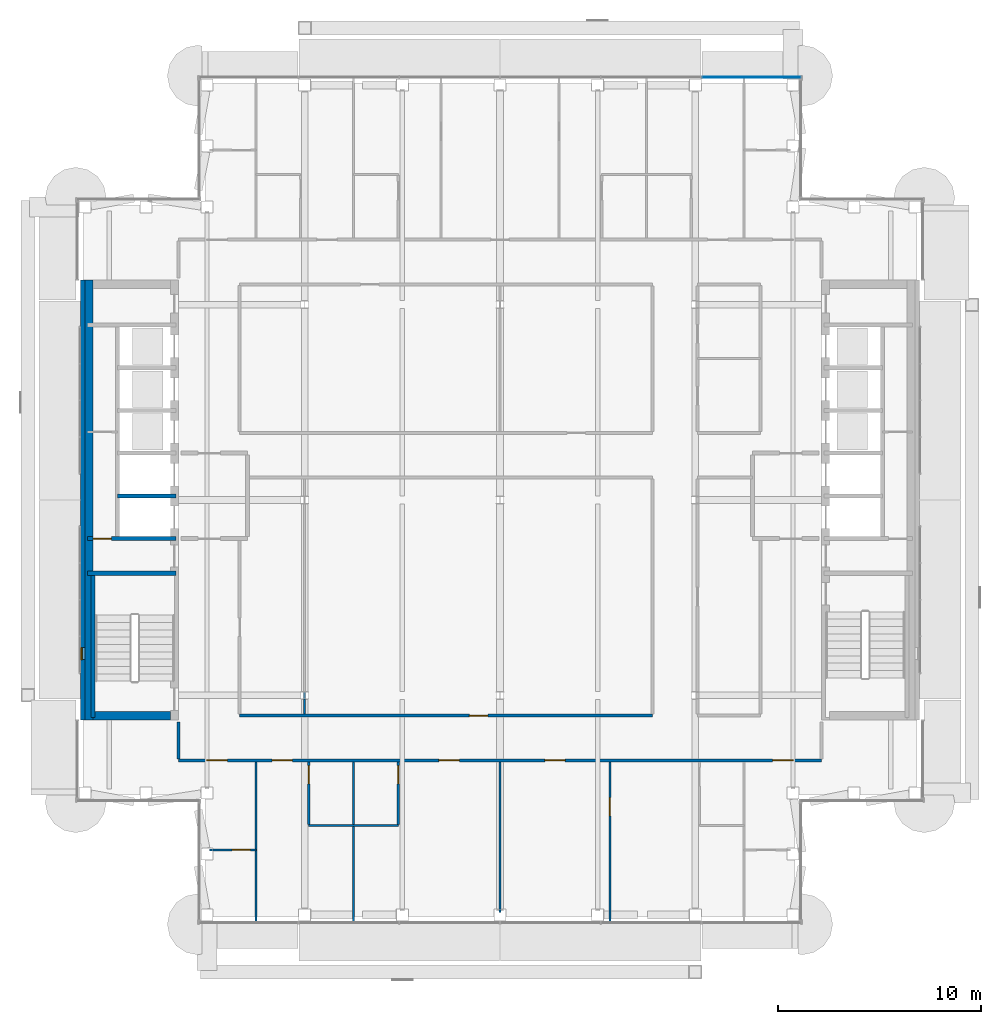
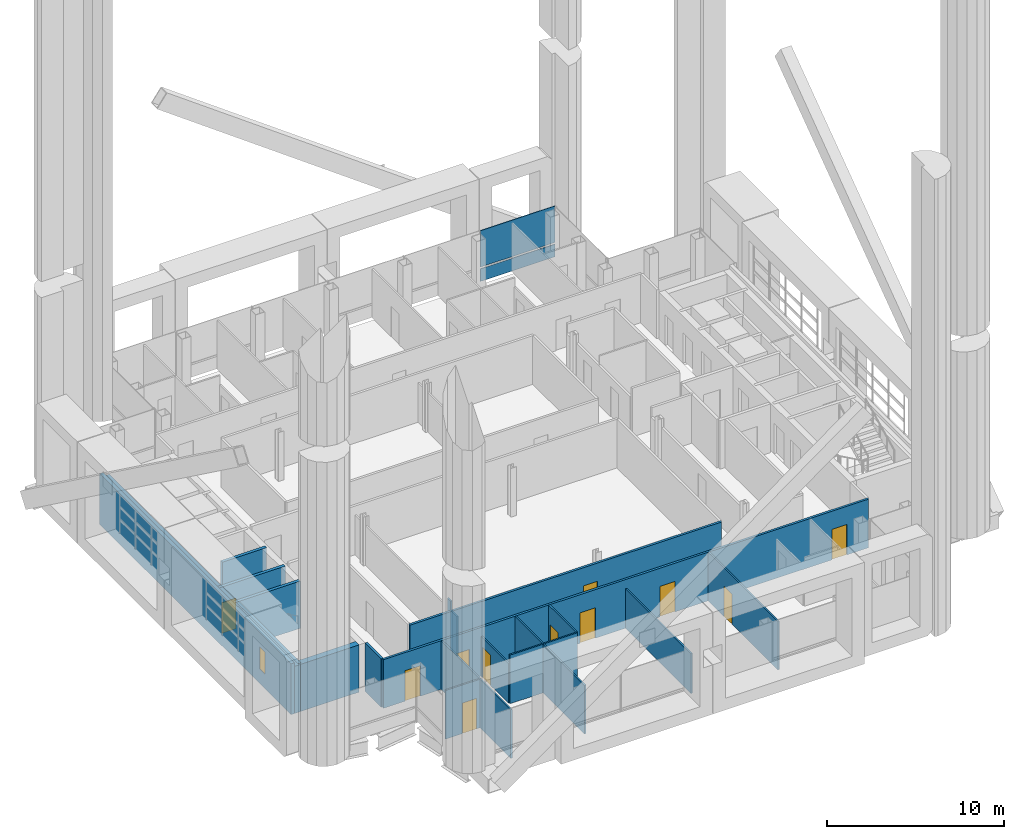
# One storey, part 13 of 29: 21 walls, 11 doors, 2 plates, 1 window, 12 openings, 1 element without a shape of its own.
"""IFC4 building model written with IfcOpenShell, lengths in metres."""

from ifc_helpers import new_model, si_unit, direction, frame, frame_2d, origin, origin_2d, place, context, subcontext, project, spatial, rectangle, extrude, material, layer, layer_set, type_object, element, fill, aggregate, save


model = new_model("IFC4")

# Units and contexts
model_context = context("Model", 3, precision=1e-05, world=origin(), true_north=direction((0.0, 1.0)))
body_context = subcontext(model_context, "Body", "Model", "MODEL_VIEW")
ifc_project = project(units=[si_unit("LENGTHUNIT", "METRE"), si_unit("AREAUNIT", "SQUARE_METRE"), si_unit("VOLUMEUNIT", "CUBIC_METRE"), si_unit("PLANEANGLEUNIT", "RADIAN"), si_unit("MASSUNIT", "GRAM", prefix="KILO")], contexts=[model_context])

# Site, building, storey
site_placement = place(None, origin())
site = spatial("IfcSite", under=ifc_project, at=site_placement, CompositionType="ELEMENT")
building_placement = place(site_placement, origin())
building = spatial("IfcBuilding", under=site, at=building_placement, Name="Cobrizo Arcos Hotel Tower", CompositionType="ELEMENT")
storey_placement = place(building_placement, frame((0.0, 0.0, 241.0)))
storey = spatial("IfcBuildingStorey", under=building, at=storey_placement, Name="L63", CompositionType="ELEMENT", Elevation=241.0)

# Curtain wall, plates
ifc_material_1 = material(Name="Aluminium 6063-T6 anodised bronze", Category="aluminium")
curtain_wall_type = type_object("IfcCurtainWallType", Name="CW-A guest facade", PredefinedType="NOTDEFINED", material=ifc_material_1)
curtain_wall_placement = place(storey_placement, origin())
curtain_wall = element("IfcCurtainWall", 1, at=curtain_wall_placement, inside=storey, type_object=curtain_wall_type, Name="CW-A L63 N face", PredefinedType="NOTDEFINED")
ifc_material_2 = material(Name="Glass clear laminated low-e", Category="glass")
ifc_layer_1 = layer(ifc_material_2, 0.0400390625)
ifc_layer_set_1 = layer_set([ifc_layer_1], Name="CW-A glass panel")
plate_type_1 = type_object("IfcPlateType", Name="CW-A glass panel", PredefinedType="CURTAIN_PANEL", material=ifc_layer_set_1)
plate_1_placement = place(storey_placement, frame((12.360107421875, 20.77490234375, 0.990234375), z_axis=(0.0, 0.0, 1.0), x_axis=(-1.0, 0.0, 0.0)))
plate_1 = element("IfcPlate", 2, at=plate_1_placement, type_object=plate_type_1, Name="CW-A glass panel 2024", PredefinedType="CURTAIN_PANEL", context=body_context, shape_type="SweptSolid", body=[
    extrude(rectangle(XDim=4.860107421875, YDim=0.0400390625, at=origin_2d()), origin(), (0.0, 0.0, 1.0), 2.510009765625),
])
ifc_material_3 = material(Name="Aluminium composite panel pale metal", Category="aluminium")
ifc_layer_2 = layer(ifc_material_3, 0.0400390625)
ifc_layer_set_2 = layer_set([ifc_layer_2], Name="CW-A spandrel panel")
plate_type_2 = type_object("IfcPlateType", Name="CW-A spandrel panel", PredefinedType="CURTAIN_PANEL", material=ifc_layer_set_2)
plate_2_placement = place(storey_placement, frame((12.360107421875, 20.77490234375, 0.0), z_axis=(0.0, 0.0, 1.0), x_axis=(-1.0, 0.0, 0.0)))
plate_2 = element("IfcPlate", 3, at=plate_2_placement, type_object=plate_type_2, Name="CW-A spandrel panel 2024", PredefinedType="CURTAIN_PANEL", context=body_context, shape_type="SweptSolid", body=[
    extrude(rectangle(XDim=4.860107421875, YDim=0.0400390625, at=origin_2d()), origin(), (0.0, 0.0, 1.0), 0.8701171875),
])
aggregate(curtain_wall, [plate_2, plate_1])

# Wall, openings, doors
ifc_material_4 = material(Name="Gypsum board partition")
ifc_layer_3 = layer(ifc_material_4, 0.14990234375)
ifc_layer_set_3 = layer_set([ifc_layer_3], Name="Corridor wall EI 60 150")
wall_type_1 = type_object("IfcWallType", Name="Corridor wall EI 60 150", PredefinedType="PARTITIONING", material=ifc_layer_set_3)
wall_1_placement = place(storey_placement, frame((-15.800048828125, -12.800048828125, 0.0), z_axis=(0.0, 0.0, 1.0), x_axis=(1.0, 0.0, 0.0)))
wall_1 = element("IfcWall", 4, at=wall_1_placement, inside=storey, type_object=wall_type_1, Name="Partition 005", PredefinedType="PARTITIONING", context=body_context, shape_type="SweptSolid", body=[
    extrude(rectangle(XDim=31.60009765625, YDim=0.14990234375, at=frame_2d((15.800048828125, 0.0))), origin(), (0.0, 0.0, 1.0), 3.35009765625),
])
opening_1_placement = place(wall_1_placement, frame((4.60009765625, 0.0, 0.0)))
opening_1 = element("IfcOpeningElement", 5, at=opening_1_placement, cuts=wall_1, Name="Opening GD-03", PredefinedType="OPENING", context=body_context, shape_type="SweptSolid", body=[
    extrude(rectangle(XDim=1.0, YDim=2.10009765625, at=frame_2d((0.5, 1.050048828125))), frame((0.0, 0.0869140625, 0.0), z_axis=(0.0, -1.0, 0.0), x_axis=(1.0, 0.0, 0.0)), (0.0, 0.0, 1.0), 0.173828125),
])
opening_2_placement = place(wall_1_placement, frame((12.800048828125, 0.0, 0.0)))
opening_2 = element("IfcOpeningElement", 6, at=opening_2_placement, cuts=wall_1, Name="Opening GD-04", PredefinedType="OPENING", context=body_context, shape_type="SweptSolid", body=[
    extrude(rectangle(XDim=1.0, YDim=2.10009765625, at=frame_2d((0.5, 1.050048828125))), frame((0.0, 0.0869140625, 0.0), z_axis=(0.0, -1.0, 0.0), x_axis=(1.0, 0.0, 0.0)), (0.0, 0.0, 1.0), 0.173828125),
])
opening_3_placement = place(wall_1_placement, frame((18.0, 0.0, 0.0)))
opening_3 = element("IfcOpeningElement", 7, at=opening_3_placement, cuts=wall_1, Name="Opening GD-05", PredefinedType="OPENING", context=body_context, shape_type="SweptSolid", body=[
    extrude(rectangle(XDim=1.0, YDim=2.10009765625, at=frame_2d((0.5, 1.050048828125))), frame((0.0, 0.0869140625, 0.0), z_axis=(0.0, -1.0, 0.0), x_axis=(1.0, 0.0, 0.0)), (0.0, 0.0, 1.0), 0.173828125),
])
opening_4_placement = place(wall_1_placement, frame((1.39990234375, 0.0, 0.0)))
opening_4 = element("IfcOpeningElement", 8, at=opening_4_placement, cuts=wall_1, Name="Opening GD-06", PredefinedType="OPENING", context=body_context, shape_type="SweptSolid", body=[
    extrude(rectangle(XDim=1.0, YDim=2.10009765625, at=frame_2d((0.5, 1.050048828125))), frame((0.0, 0.0869140625, 0.0), z_axis=(0.0, -1.0, 0.0), x_axis=(1.0, 0.0, 0.0)), (0.0, 0.0, 1.0), 0.173828125),
])
opening_5_placement = place(wall_1_placement, frame((29.199951171875, 0.0, 0.0)))
opening_5 = element("IfcOpeningElement", 9, at=opening_5_placement, cuts=wall_1, Name="Opening GD-08", PredefinedType="OPENING", context=body_context, shape_type="SweptSolid", body=[
    extrude(rectangle(XDim=1.0, YDim=2.10009765625, at=frame_2d((0.5, 1.050048828125))), frame((0.0, 0.0869140625, 0.0), z_axis=(0.0, -1.0, 0.0), x_axis=(1.0, 0.0, 0.0)), (0.0, 0.0, 1.0), 0.173828125),
])
ifc_material_5 = material(Name="Timber door leaf", Category="wood")
door_type_1 = type_object("IfcDoorType", Name="Guest room door FD30S 1000x2100", OperationType="SINGLE_SWING_LEFT", PredefinedType="DOOR", material=ifc_material_5)
door_1_placement = place(opening_1_placement, origin())
door_1 = element("IfcDoor", 10, at=door_1_placement, inside=storey, type_object=door_type_1, Name="Door GD-03", OperationType="SINGLE_SWING_LEFT", OverallHeight=2.10009765625, OverallWidth=1.0, PredefinedType="DOOR", context=body_context, shape_type="SweptSolid", body=[
    extrude(rectangle(XDim=1.0, YDim=2.10009765625, at=frame_2d((0.5, 1.050048828125))), frame((0.0, 0.02490234375, 0.0), z_axis=(0.0, -1.0, 0.0), x_axis=(1.0, 0.0, 0.0)), (0.0, 0.0, 1.0), 0.050048828125),
])
fill(opening_1, door_1)
door_2_placement = place(opening_2_placement, origin())
door_2 = element("IfcDoor", 11, at=door_2_placement, inside=storey, type_object=door_type_1, Name="Door GD-04", OperationType="SINGLE_SWING_LEFT", OverallHeight=2.10009765625, OverallWidth=1.0, PredefinedType="DOOR", context=body_context, shape_type="SweptSolid", body=[
    extrude(rectangle(XDim=1.0, YDim=2.10009765625, at=frame_2d((0.5, 1.050048828125))), frame((0.0, 0.02490234375, 0.0), z_axis=(0.0, -1.0, 0.0), x_axis=(1.0, 0.0, 0.0)), (0.0, 0.0, 1.0), 0.050048828125),
])
fill(opening_2, door_2)
door_3_placement = place(opening_3_placement, origin())
door_3 = element("IfcDoor", 12, at=door_3_placement, inside=storey, type_object=door_type_1, Name="Door GD-05", OperationType="SINGLE_SWING_RIGHT", OverallHeight=2.10009765625, OverallWidth=1.0, PredefinedType="DOOR", context=body_context, shape_type="SweptSolid", body=[
    extrude(rectangle(XDim=1.0, YDim=2.10009765625, at=frame_2d((0.5, 1.050048828125))), frame((0.0, 0.02490234375, 0.0), z_axis=(0.0, -1.0, 0.0), x_axis=(1.0, 0.0, 0.0)), (0.0, 0.0, 1.0), 0.050048828125),
])
fill(opening_3, door_3)
door_4_placement = place(opening_4_placement, origin())
door_4 = element("IfcDoor", 13, at=door_4_placement, inside=storey, type_object=door_type_1, Name="Door GD-06", OperationType="SINGLE_SWING_LEFT", OverallHeight=2.10009765625, OverallWidth=1.0, PredefinedType="DOOR", context=body_context, shape_type="SweptSolid", body=[
    extrude(rectangle(XDim=1.0, YDim=2.10009765625, at=frame_2d((0.5, 1.050048828125))), frame((0.0, 0.02490234375, 0.0), z_axis=(0.0, -1.0, 0.0), x_axis=(1.0, 0.0, 0.0)), (0.0, 0.0, 1.0), 0.050048828125),
])
fill(opening_4, door_4)
door_5_placement = place(opening_5_placement, origin())
door_5 = element("IfcDoor", 14, at=door_5_placement, inside=storey, type_object=door_type_1, Name="Door GD-08", OperationType="SINGLE_SWING_LEFT", OverallHeight=2.10009765625, OverallWidth=1.0, PredefinedType="DOOR", context=body_context, shape_type="SweptSolid", body=[
    extrude(rectangle(XDim=1.0, YDim=2.10009765625, at=frame_2d((0.5, 1.050048828125))), frame((0.0, 0.02490234375, 0.0), z_axis=(0.0, -1.0, 0.0), x_axis=(1.0, 0.0, 0.0)), (0.0, 0.0, 1.0), 0.050048828125),
])
fill(opening_5, door_5)

# Wall, opening, door
wall_2_placement = place(storey_placement, frame((-12.800048828125, -10.60009765625, 0.0), z_axis=(0.0, 0.0, 1.0), x_axis=(1.0, 0.0, 0.0)))
wall_2 = element("IfcWall", 15, at=wall_2_placement, inside=storey, type_object=wall_type_1, Name="Partition 006", PredefinedType="PARTITIONING", context=body_context, shape_type="SweptSolid", body=[
    extrude(rectangle(XDim=20.300048828125, YDim=0.14990234375, at=frame_2d((10.14990234375, 0.0))), origin(), (0.0, 0.0, 1.0), 3.35009765625),
])
opening_6_placement = place(wall_2_placement, frame((11.300048828125, 0.0, 0.0)))
opening_6 = element("IfcOpeningElement", 16, at=opening_6_placement, cuts=wall_2, Name="Opening RD-15", PredefinedType="OPENING", context=body_context, shape_type="SweptSolid", body=[
    extrude(rectangle(XDim=0.89990234375, YDim=2.10009765625, at=frame_2d((0.449951171875, 1.050048828125))), frame((0.0, 0.0869140625, 0.0), z_axis=(0.0, -1.0, 0.0), x_axis=(1.0, 0.0, 0.0)), (0.0, 0.0, 1.0), 0.173828125),
])
door_type_2 = type_object("IfcDoorType", Name="Room door FD30 900x2100", OperationType="SINGLE_SWING_LEFT", PredefinedType="DOOR", material=ifc_material_5)
door_6_placement = place(opening_6_placement, origin())
door_6 = element("IfcDoor", 17, at=door_6_placement, inside=storey, type_object=door_type_2, Name="Door RD-15", OperationType="SINGLE_SWING_RIGHT", OverallHeight=2.10009765625, OverallWidth=0.89990234375, PredefinedType="DOOR", context=body_context, shape_type="SweptSolid", body=[
    extrude(rectangle(XDim=0.89990234375, YDim=2.10009765625, at=frame_2d((0.449951171875, 1.050048828125))), frame((0.0, 0.02490234375, 0.0), z_axis=(0.0, -1.0, 0.0), x_axis=(1.0, 0.0, 0.0)), (0.0, 0.0, 1.0), 0.050048828125),
])
fill(opening_6, door_6)

# Wall
wall_3_placement = place(storey_placement, frame((-15.800048828125, -12.72509765625, 0.0), z_axis=(0.0, 0.0, 1.0), x_axis=(0.0, 1.0, 0.0)))
element("IfcWall", 18, at=wall_3_placement, inside=storey, type_object=wall_type_1, Name="Partition 043", PredefinedType="PARTITIONING", context=body_context, shape_type="SweptSolid", body=[
    extrude(rectangle(XDim=1.80517578125, YDim=0.14990234375, at=frame_2d((0.902587890625, 0.0))), origin(), (0.0, 0.0, 1.0), 3.35009765625),
])

# Wall, opening, window
ifc_layer_4 = layer(ifc_material_3, 0.22509765625)
ifc_layer_set_4 = layer_set([ifc_layer_4], Name="EW-1 insulated panel wall 225")
wall_type_2 = type_object("IfcWallType", Name="EW-1 insulated panel wall 225", PredefinedType="SOLIDWALL", material=ifc_layer_set_4)
wall_4_placement = place(storey_placement, frame((-20.512451171875, 10.800048828125, 0.0), z_axis=(0.0, 0.0, 1.0), x_axis=(0.0, -1.0, 0.0)))
wall_4 = element("IfcWall", 19, at=wall_4_placement, inside=storey, type_object=wall_type_2, Name="Core face wall L63 W", PredefinedType="SOLIDWALL", context=body_context, shape_type="SweptSolid", body=[
    extrude(rectangle(XDim=21.60009765625, YDim=0.22509765625, at=frame_2d((10.800048828125, 0.0))), origin(), (0.0, 0.0, 1.0), 3.5),
])
opening_7_placement = place(wall_4_placement, frame((18.050048828125, 0.0, 1.0)))
opening_7 = element("IfcOpeningElement", 20, at=opening_7_placement, cuts=wall_4, Name="Opening W-146", PredefinedType="OPENING", context=body_context, shape_type="SweptSolid", body=[
    extrude(rectangle(XDim=0.60009765625, YDim=1.5, at=frame_2d((0.300048828125, 0.75))), frame((0.0, 0.12451171875, 0.0), z_axis=(0.0, -1.0, 0.0), x_axis=(1.0, 0.0, 0.0)), (0.0, 0.0, 1.0), 0.2490234375),
])
ifc_material_6 = material(Name="Aluminium 6063-T6 and clear laminated glass", Category="aluminium")
window_type = type_object("IfcWindowType", Name="W-C1 core stair slot window 600x1500", PartitioningType="SINGLE_PANEL", PredefinedType="WINDOW", material=ifc_material_6)
window_placement = place(opening_7_placement, origin())
window = element("IfcWindow", 21, at=window_placement, inside=storey, type_object=window_type, Name="Core face wall L63 W window W-146", OverallHeight=1.5, OverallWidth=0.60009765625, PartitioningType="SINGLE_PANEL", PredefinedType="WINDOW", context=body_context, shape_type="SweptSolid", body=[
    extrude(rectangle(XDim=0.60009765625, YDim=1.5, at=frame_2d((0.300048828125, 0.75))), frame((0.0, -0.0224609375, 0.0), z_axis=(0.0, -1.0, 0.0), x_axis=(1.0, 0.0, 0.0)), (0.0, 0.0, 1.0), 0.06005859375),
])
fill(opening_7, window)

# Wall, opening, door
ifc_layer_5 = layer(ifc_material_4, 0.10009765625)
ifc_layer_set_5 = layer_set([ifc_layer_5], Name="Partition EI 30 100")
wall_type_3 = type_object("IfcWallType", Name="Partition EI 30 100", PredefinedType="PARTITIONING", material=ifc_layer_set_5)
wall_5_placement = place(storey_placement, frame((-14.280029296875, -17.199951171875, 0.0), z_axis=(0.0, 0.0, 1.0), x_axis=(1.0, 0.0, 0.0)))
wall_5 = element("IfcWall", 22, at=wall_5_placement, inside=storey, type_object=wall_type_3, Name="Partition 001", PredefinedType="PARTITIONING", context=body_context, shape_type="SweptSolid", body=[
    extrude(rectangle(XDim=2.280029296875, YDim=0.10009765625, at=frame_2d((1.14013671875, 0.0))), origin(), (0.0, 0.0, 1.0), 3.35009765625),
])
opening_8_placement = place(wall_5_placement, frame((1.110107421875, 0.0, 0.0)))
opening_8 = element("IfcOpeningElement", 23, at=opening_8_placement, cuts=wall_5, Name="Opening ED-08", PredefinedType="OPENING", context=body_context, shape_type="SweptSolid", body=[
    extrude(rectangle(XDim=0.89990234375, YDim=2.10009765625, at=frame_2d((0.449951171875, 1.050048828125))), frame((0.0, 0.06201171875, 0.0), z_axis=(0.0, -1.0, 0.0), x_axis=(1.0, 0.0, 0.0)), (0.0, 0.0, 1.0), 0.1240234375),
])
door_type_3 = type_object("IfcDoorType", Name="En-suite door 900x2100", OperationType="SINGLE_SWING_LEFT", PredefinedType="DOOR", material=ifc_material_5)
door_7_placement = place(opening_8_placement, origin())
door_7 = element("IfcDoor", 24, at=door_7_placement, inside=storey, type_object=door_type_3, Name="Door ED-08", OperationType="SINGLE_SWING_RIGHT", OverallHeight=2.10009765625, OverallWidth=0.89990234375, PredefinedType="DOOR", context=body_context, shape_type="SweptSolid", body=[
    extrude(rectangle(XDim=0.89990234375, YDim=2.10009765625, at=frame_2d((0.449951171875, 1.050048828125))), frame((0.0, 0.02490234375, 0.0), z_axis=(0.0, -1.0, 0.0), x_axis=(1.0, 0.0, 0.0)), (0.0, 0.0, 1.0), 0.050048828125),
])
fill(opening_8, door_7)

# Walls
wall_6_placement = place(storey_placement, frame((-9.39990234375, -16.0, 0.0), z_axis=(0.0, 0.0, 1.0), x_axis=(1.0, 0.0, 0.0)))
element("IfcWall", 25, at=wall_6_placement, inside=storey, type_object=wall_type_3, Name="Partition 003", PredefinedType="PARTITIONING", context=body_context, shape_type="SweptSolid", body=[
    extrude(rectangle(XDim=4.39990234375, YDim=0.10009765625, at=frame_2d((2.199951171875, 0.0))), origin(), (0.0, 0.0, 1.0), 3.35009765625),
])
wall_7_placement = place(storey_placement, frame((-12.0, -20.72998046875, 0.0), z_axis=(0.0, 0.0, 1.0), x_axis=(0.0, 1.0, 0.0)))
element("IfcWall", 26, at=wall_7_placement, inside=storey, type_object=wall_type_3, Name="Partition 048", PredefinedType="PARTITIONING", context=body_context, shape_type="SweptSolid", body=[
    extrude(rectangle(XDim=7.85498046875, YDim=0.10009765625, at=frame_2d((3.927490234375, 0.0))), origin(), (0.0, 0.0, 1.0), 3.35009765625),
])
wall_8_placement = place(storey_placement, frame((-9.60009765625, -10.52490234375, 0.0), z_axis=(0.0, 0.0, 1.0), x_axis=(0.0, 1.0, 0.0)))
element("IfcWall", 27, at=wall_8_placement, inside=storey, type_object=wall_type_3, Name="Partition 051", PredefinedType="PARTITIONING", context=body_context, shape_type="SweptSolid", body=[
    extrude(rectangle(XDim=0.740966796875, YDim=0.10009765625, at=frame_2d((0.37060546875, 0.0))), origin(), (0.0, 0.0, 1.0), 2.72802734375),
])
wall_9_placement = place(storey_placement, frame((-9.60009765625, -9.783935546875, 0.0), z_axis=(0.0, 0.0, 1.0), x_axis=(0.0, 1.0, 0.0)))
element("IfcWall", 28, at=wall_9_placement, inside=storey, type_object=wall_type_3, Name="Partition 052", PredefinedType="PARTITIONING", context=body_context, shape_type="SweptSolid", body=[
    extrude(rectangle(XDim=0.367919921875, YDim=0.10009765625, at=frame_2d((0.18408203125, 0.0))), origin(), (0.0, 0.0, 1.0), 3.35009765625),
])

# Wall, opening, door
wall_10_placement = place(storey_placement, frame((-9.39990234375, -15.949951171875, 0.0), z_axis=(0.0, 0.0, 1.0), x_axis=(0.0, 1.0, 0.0)))
wall_10 = element("IfcWall", 29, at=wall_10_placement, inside=storey, type_object=wall_type_3, Name="Partition 056", PredefinedType="PARTITIONING", context=body_context, shape_type="SweptSolid", body=[
    extrude(rectangle(XDim=3.074951171875, YDim=0.10009765625, at=frame_2d((1.53759765625, 0.0))), origin(), (0.0, 0.0, 1.0), 2.72802734375),
])
opening_9_placement = place(wall_10_placement, frame((1.99609375, 0.0, 0.0)))
opening_9 = element("IfcOpeningElement", 30, at=opening_9_placement, cuts=wall_10, Name="Opening ED-05", PredefinedType="OPENING", context=body_context, shape_type="SweptSolid", body=[
    extrude(rectangle(XDim=0.89990234375, YDim=2.10009765625, at=frame_2d((0.449951171875, 1.050048828125))), frame((0.0, 0.06201171875, 0.0), z_axis=(0.0, -1.0, 0.0), x_axis=(1.0, 0.0, 0.0)), (0.0, 0.0, 1.0), 0.1240234375),
])
door_8_placement = place(opening_9_placement, origin())
door_8 = element("IfcDoor", 31, at=door_8_placement, inside=storey, type_object=door_type_3, Name="Door ED-05", OperationType="SINGLE_SWING_LEFT", OverallHeight=2.10009765625, OverallWidth=0.89990234375, PredefinedType="DOOR", context=body_context, shape_type="SweptSolid", body=[
    extrude(rectangle(XDim=0.89990234375, YDim=2.10009765625, at=frame_2d((0.449951171875, 1.050048828125))), frame((0.0, 0.02490234375, 0.0), z_axis=(0.0, -1.0, 0.0), x_axis=(1.0, 0.0, 0.0)), (0.0, 0.0, 1.0), 0.050048828125),
])
fill(opening_9, door_8)

# Walls
wall_11_placement = place(storey_placement, frame((-7.199951171875, -20.72998046875, 0.0), z_axis=(0.0, 0.0, 1.0), x_axis=(0.0, 1.0, 0.0)))
element("IfcWall", 32, at=wall_11_placement, inside=storey, type_object=wall_type_3, Name="Partition 057", PredefinedType="PARTITIONING", context=body_context, shape_type="SweptSolid", body=[
    extrude(rectangle(XDim=4.679931640625, YDim=0.10009765625, at=frame_2d((2.33984375, 0.0))), origin(), (0.0, 0.0, 1.0), 3.35009765625),
])
wall_12_placement = place(storey_placement, frame((-7.199951171875, -15.949951171875, 0.0), z_axis=(0.0, 0.0, 1.0), x_axis=(0.0, 1.0, 0.0)))
element("IfcWall", 33, at=wall_12_placement, inside=storey, type_object=wall_type_3, Name="Partition 058", PredefinedType="PARTITIONING", context=body_context, shape_type="SweptSolid", body=[
    extrude(rectangle(XDim=3.074951171875, YDim=0.10009765625, at=frame_2d((1.53759765625, 0.0))), origin(), (0.0, 0.0, 1.0), 3.35009765625),
])

# Wall, opening, door
wall_13_placement = place(storey_placement, frame((-5.0, -15.949951171875, 0.0), z_axis=(0.0, 0.0, 1.0), x_axis=(0.0, 1.0, 0.0)))
wall_13 = element("IfcWall", 34, at=wall_13_placement, inside=storey, type_object=wall_type_3, Name="Partition 060", PredefinedType="PARTITIONING", context=body_context, shape_type="SweptSolid", body=[
    extrude(rectangle(XDim=3.074951171875, YDim=0.10009765625, at=frame_2d((1.53759765625, 0.0))), origin(), (0.0, 0.0, 1.0), 3.35009765625),
])
opening_10_placement = place(wall_13_placement, frame((1.99609375, 0.0, 0.0)))
opening_10 = element("IfcOpeningElement", 35, at=opening_10_placement, cuts=wall_13, Name="Opening ED-06", PredefinedType="OPENING", context=body_context, shape_type="SweptSolid", body=[
    extrude(rectangle(XDim=0.89990234375, YDim=2.10009765625, at=frame_2d((0.449951171875, 1.050048828125))), frame((0.0, 0.06201171875, 0.0), z_axis=(0.0, -1.0, 0.0), x_axis=(1.0, 0.0, 0.0)), (0.0, 0.0, 1.0), 0.1240234375),
])
door_9_placement = place(opening_10_placement, origin())
door_9 = element("IfcDoor", 36, at=door_9_placement, inside=storey, type_object=door_type_3, Name="Door ED-06", OperationType="SINGLE_SWING_LEFT", OverallHeight=2.10009765625, OverallWidth=0.89990234375, PredefinedType="DOOR", context=body_context, shape_type="SweptSolid", body=[
    extrude(rectangle(XDim=0.89990234375, YDim=2.10009765625, at=frame_2d((0.449951171875, 1.050048828125))), frame((0.0, 0.02490234375, 0.0), z_axis=(0.0, -1.0, 0.0), x_axis=(1.0, 0.0, 0.0)), (0.0, 0.0, 1.0), 0.050048828125),
])
fill(opening_10, door_9)

# Wall
wall_14_placement = place(storey_placement, frame((0.0, -20.280029296875, 0.0), z_axis=(0.0, 0.0, 1.0), x_axis=(0.0, 1.0, 0.0)))
element("IfcWall", 37, at=wall_14_placement, inside=storey, type_object=wall_type_3, Name="Partition 063", PredefinedType="PARTITIONING", context=body_context, shape_type="SweptSolid", body=[
    extrude(rectangle(XDim=7.405029296875, YDim=0.10009765625, at=frame_2d((3.70263671875, 0.0))), origin(), (0.0, 0.0, 1.0), 2.72802734375),
])

# Wall, opening, door
wall_15_placement = place(storey_placement, frame((5.39990234375, -20.72998046875, 0.0), z_axis=(0.0, 0.0, 1.0), x_axis=(0.0, 1.0, 0.0)))
wall_15 = element("IfcWall", 38, at=wall_15_placement, inside=storey, type_object=wall_type_3, Name="Partition 069", PredefinedType="PARTITIONING", context=body_context, shape_type="SweptSolid", body=[
    extrude(rectangle(XDim=7.85498046875, YDim=0.10009765625, at=frame_2d((3.927490234375, 0.0))), origin(), (0.0, 0.0, 1.0), 3.35009765625),
])
opening_11_placement = place(wall_15_placement, frame((5.199951171875, 0.0, 0.0)))
opening_11 = element("IfcOpeningElement", 39, at=opening_11_placement, cuts=wall_15, Name="Opening RD-10", PredefinedType="OPENING", context=body_context, shape_type="SweptSolid", body=[
    extrude(rectangle(XDim=0.89990234375, YDim=2.10009765625, at=frame_2d((0.449951171875, 1.050048828125))), frame((0.0, 0.06201171875, 0.0), z_axis=(0.0, -1.0, 0.0), x_axis=(1.0, 0.0, 0.0)), (0.0, 0.0, 1.0), 0.1240234375),
])
door_10_placement = place(opening_11_placement, origin())
door_10 = element("IfcDoor", 40, at=door_10_placement, inside=storey, type_object=door_type_2, Name="Door RD-10", OperationType="SINGLE_SWING_RIGHT", OverallHeight=2.10009765625, OverallWidth=0.89990234375, PredefinedType="DOOR", context=body_context, shape_type="SweptSolid", body=[
    extrude(rectangle(XDim=0.89990234375, YDim=2.10009765625, at=frame_2d((0.449951171875, 1.050048828125))), frame((0.0, 0.02490234375, 0.0), z_axis=(0.0, -1.0, 0.0), x_axis=(1.0, 0.0, 0.0)), (0.0, 0.0, 1.0), 0.050048828125),
])
fill(opening_11, door_10)

# Walls
ifc_material_7 = material(Name="Concrete f'c 40 MPa", Category="concrete")
ifc_layer_6 = layer(ifc_material_7, 0.39990234375)
ifc_layer_set_6 = layer_set([ifc_layer_6], Name="RC core wall 400 f'c 40")
wall_type_4 = type_object("IfcWallType", Name="RC core wall 400 f'c 40", PredefinedType="SHEAR", material=ifc_layer_set_6)
wall_16_placement = place(storey_placement, frame((-20.199951171875, -10.800048828125, 0.0), z_axis=(0.0, 0.0, 1.0), x_axis=(0.0, 1.0, 0.0)))
element("IfcWall", 41, at=wall_16_placement, inside=storey, type_object=wall_type_4, Name="Core wall CW4, west core, outer face, L63", PredefinedType="SHEAR", context=body_context, shape_type="SweptSolid", body=[
    extrude(rectangle(XDim=21.60009765625, YDim=0.39990234375, at=frame_2d((10.800048828125, 0.0))), origin(), (0.0, 0.0, 1.0), 3.25),
])
wall_17_placement = place(storey_placement, frame((-20.0, -10.60009765625, 0.0), z_axis=(0.0, 0.0, 1.0), x_axis=(1.0, 0.0, 0.0)))
element("IfcWall", 42, at=wall_17_placement, inside=storey, type_object=wall_type_4, Name="Core wall CW4, west core, south end, L63", PredefinedType="SHEAR", context=body_context, shape_type="SweptSolid", body=[
    extrude(rectangle(XDim=3.800048828125, YDim=0.39990234375, at=frame_2d((1.89990234375, 0.0))), origin(), (0.0, 0.0, 1.0), 3.25),
])

# Wall, opening, door
ifc_layer_7 = layer(ifc_material_4, 0.199951171875)
ifc_layer_set_7 = layer_set([ifc_layer_7], Name="Shaft wall EI 120 200")
wall_type_5 = type_object("IfcWallType", Name="Shaft wall EI 120 200", PredefinedType="PARTITIONING", material=ifc_layer_set_7)
wall_18_placement = place(storey_placement, frame((-20.280029296875, -1.89990234375, 0.0), z_axis=(0.0, 0.0, 1.0), x_axis=(1.0, 0.0, 0.0)))
wall_18 = element("IfcWall", 43, at=wall_18_placement, inside=storey, type_object=wall_type_5, Name="Partition 010", PredefinedType="PARTITIONING", context=body_context, shape_type="SweptSolid", body=[
    extrude(rectangle(XDim=4.360107421875, YDim=0.199951171875, at=frame_2d((2.18017578125, 0.0))), origin(), (0.0, 0.0, 1.0), 3.25),
])
opening_12_placement = place(wall_18_placement, frame((0.280029296875, 0.0, 0.0)))
opening_12 = element("IfcOpeningElement", 44, at=opening_12_placement, cuts=wall_18, Name="Opening RD-02", PredefinedType="OPENING", context=body_context, shape_type="SweptSolid", body=[
    extrude(rectangle(XDim=0.89990234375, YDim=2.10009765625, at=frame_2d((0.449951171875, 1.050048828125))), frame((0.0, 0.112060546875, 0.0), z_axis=(0.0, -1.0, 0.0), x_axis=(1.0, 0.0, 0.0)), (0.0, 0.0, 1.0), 0.223876953125),
])
door_11_placement = place(opening_12_placement, origin())
door_11 = element("IfcDoor", 45, at=door_11_placement, inside=storey, type_object=door_type_2, Name="Door RD-02", OperationType="SINGLE_SWING_RIGHT", OverallHeight=2.10009765625, OverallWidth=0.89990234375, PredefinedType="DOOR", context=body_context, shape_type="SweptSolid", body=[
    extrude(rectangle(XDim=0.89990234375, YDim=2.10009765625, at=frame_2d((0.449951171875, 1.050048828125))), frame((0.0, 0.02490234375, 0.0), z_axis=(0.0, -1.0, 0.0), x_axis=(1.0, 0.0, 0.0)), (0.0, 0.0, 1.0), 0.050048828125),
])
fill(opening_12, door_11)

# Walls
wall_19_placement = place(storey_placement, frame((-18.800048828125, 0.199951171875, 0.0), z_axis=(0.0, 0.0, 1.0), x_axis=(1.0, 0.0, 0.0)))
element("IfcWall", 46, at=wall_19_placement, inside=storey, type_object=wall_type_5, Name="Partition 014", PredefinedType="PARTITIONING", context=body_context, shape_type="SweptSolid", body=[
    extrude(rectangle(XDim=2.880126953125, YDim=0.199951171875, at=frame_2d((1.43994140625, 0.0))), origin(), (0.0, 0.0, 1.0), 3.25),
])
ifc_layer_8 = layer(ifc_material_7, 0.199951171875)
ifc_layer_set_8 = layer_set([ifc_layer_8], Name="Stair shaft wall 200")
wall_type_6 = type_object("IfcWallType", Name="Stair shaft wall 200", PredefinedType="SHEAR", material=ifc_layer_set_8)
wall_20_placement = place(storey_placement, frame((-20.280029296875, -3.60009765625, 0.0), z_axis=(0.0, 0.0, 1.0), x_axis=(1.0, 0.0, 0.0)))
element("IfcWall", 47, at=wall_20_placement, inside=storey, type_object=wall_type_6, Name="Stair shaft wall W", PredefinedType="SHEAR", context=body_context, shape_type="SweptSolid", body=[
    extrude(rectangle(XDim=4.360107421875, YDim=0.199951171875, at=frame_2d((2.18017578125, 0.0))), origin(), (0.0, 0.0, 1.0), 3.25),
])
wall_21_placement = place(storey_placement, frame((-20.0, -10.679931640625, 0.0), z_axis=(0.0, 0.0, 1.0), x_axis=(0.0, 1.0, 0.0)))
element("IfcWall", 48, at=wall_21_placement, inside=storey, type_object=wall_type_6, Name="Stair shaft wall W", PredefinedType="SHEAR", context=body_context, shape_type="SweptSolid", body=[
    extrude(rectangle(XDim=6.97998046875, YDim=0.199951171875, at=frame_2d((3.489990234375, 0.0))), origin(), (0.0, 0.0, 1.0), 3.25),
])

save(model, "model.ifc")
